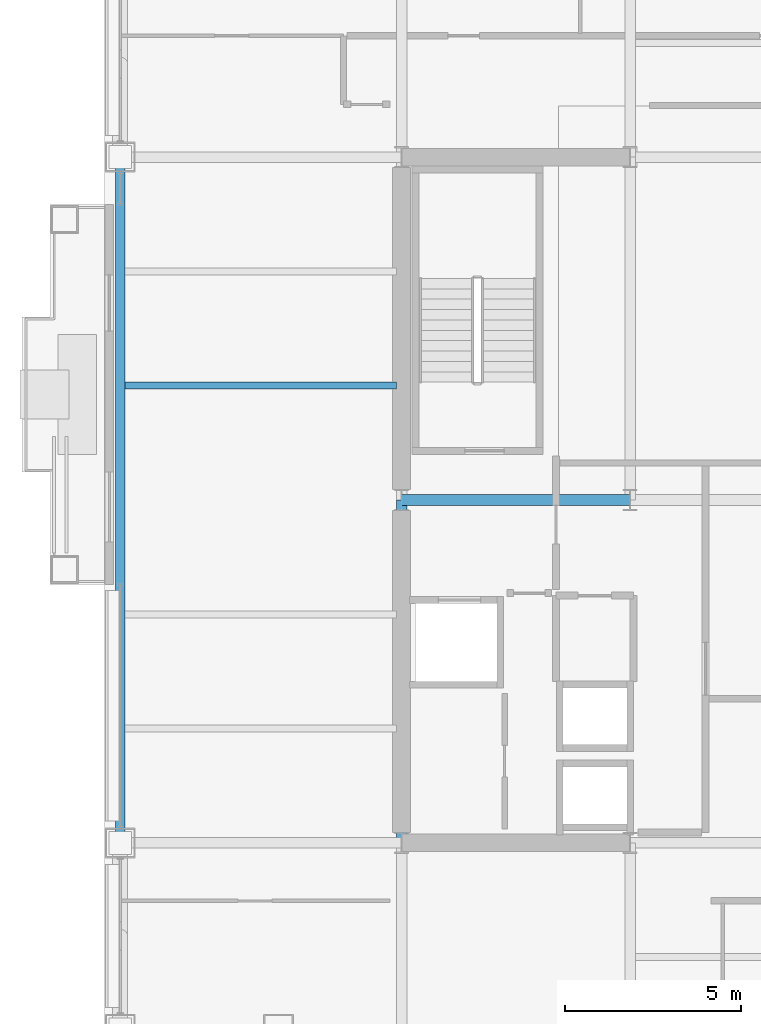
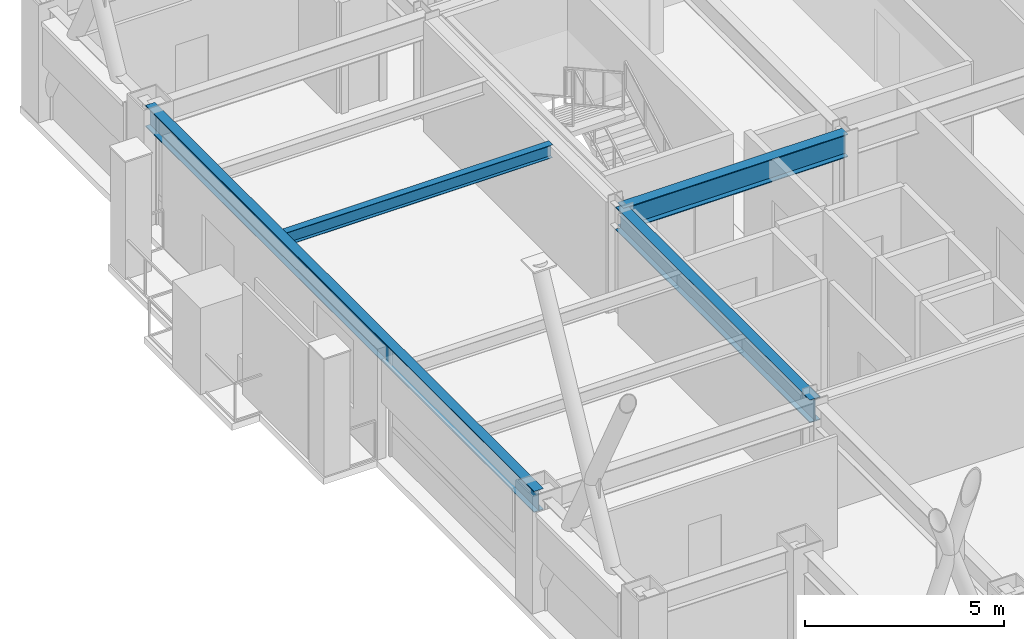
# One storey, part 8 of 32: 4 beams.
"""IFC4 building model written with IfcOpenShell, lengths in metres."""

from ifc_helpers import new_model, si_unit, direction, frame, origin, origin_2d, place, context, subcontext, project, spatial, i_section, extrude, material, material_profile, profile_set, type_object, element, save


model = new_model("IFC4")

# Units and contexts
model_context = context("Model", 3, precision=1e-05, world=origin(), true_north=direction((0.0, 1.0)))
body_context = subcontext(model_context, "Body", "Model", "MODEL_VIEW")
ifc_project = project(units=[si_unit("LENGTHUNIT", "METRE"), si_unit("AREAUNIT", "SQUARE_METRE"), si_unit("VOLUMEUNIT", "CUBIC_METRE"), si_unit("PLANEANGLEUNIT", "RADIAN"), si_unit("MASSUNIT", "GRAM", prefix="KILO")], contexts=[model_context])

# Site, building, storey
site_placement = place(None, origin())
site = spatial("IfcSite", under=ifc_project, at=site_placement, CompositionType="ELEMENT")
building_placement = place(site_placement, origin())
building = spatial("IfcBuilding", under=site, at=building_placement, Name="Brelmoor Portico Tower", CompositionType="ELEMENT")
storey_placement = place(building_placement, frame((0.0, 0.0, 109.800048828125)))
storey = spatial("IfcBuildingStorey", under=building, at=storey_placement, Name="L28", CompositionType="ELEMENT", Elevation=109.800048828125)

# Beams
ifc_material = material(Name="Steel Q355B", Category="steel")
ifc_material_profile_1 = material_profile(ifc_material, i_section(OverallWidth=0.199951171875, OverallDepth=0.39990234375, WebThickness=0.008056640625, FlangeThickness=0.012939453125, at=origin_2d()), Name="HN 400x200x8x13")
ifc_profile_set_1 = profile_set([ifc_material_profile_1], Name="Steel Q355B")
beam_type_1 = type_object("IfcBeamType", Name="BM-JS-400", PredefinedType="JOIST", material=ifc_profile_set_1)
beam_1_placement = place(storey_placement, frame((-22.409912109375, 3.25, 3.199951171875), z_axis=(1.0, 0.0, 0.0), x_axis=(0.0, 1.0, 0.0)))
element("IfcBeam", 1, at=beam_1_placement, inside=storey, type_object=beam_type_1, Name="L28 Secondary Wing Joist JS-W07", PredefinedType="JOIST", context=body_context, shape_type="SweptSolid", body=[
    extrude(i_section(OverallWidth=0.199951171875, OverallDepth=0.39990234375, WebThickness=0.008056640625, FlangeThickness=0.012939453125, at=origin_2d()), origin(), (0.0, 0.0, 1.0), 7.7099609375),
])
ifc_material_profile_2 = material_profile(ifc_material, i_section(OverallWidth=0.300048828125, OverallDepth=0.699951171875, WebThickness=0.012939453125, FlangeThickness=0.02392578125, at=origin_2d()), Name="HN 700x300x13x24")
ifc_profile_set_2 = profile_set([ifc_material_profile_2], Name="Steel Q355B")
beam_type_2 = type_object("IfcBeamType", Name="BM-PG-700", PredefinedType="BEAM", material=ifc_profile_set_2)
beam_2_placement = place(storey_placement, frame((-14.550048828125, -9.75, 3.050048828125), z_axis=(0.0, 1.0, 0.0), x_axis=(-1.0, 0.0, 0.0)))
element("IfcBeam", 2, at=beam_2_placement, inside=storey, type_object=beam_type_2, Name="L28 Primary Floor Girder PG-02", PredefinedType="BEAM", context=body_context, shape_type="SweptSolid", body=[
    extrude(i_section(OverallWidth=0.300048828125, OverallDepth=0.699951171875, WebThickness=0.012939453125, FlangeThickness=0.02392578125, at=origin_2d()), origin(), (0.0, 0.0, 1.0), 9.75),
])
beam_3_placement = place(storey_placement, frame((-14.550048828125, 0.0, 3.050048828125), z_axis=(1.0, 0.0, 0.0), x_axis=(0.0, 1.0, 0.0)))
element("IfcBeam", 3, at=beam_3_placement, inside=storey, type_object=beam_type_2, Name="L28 Primary Floor Girder PG-19", PredefinedType="BEAM", context=body_context, shape_type="SweptSolid", body=[
    extrude(i_section(OverallWidth=0.300048828125, OverallDepth=0.699951171875, WebThickness=0.012939453125, FlangeThickness=0.02392578125, at=origin_2d()), origin(), (0.0, 0.0, 1.0), 6.5),
])
ifc_material_profile_3 = material_profile(ifc_material, i_section(OverallWidth=0.280029296875, OverallDepth=0.64990234375, WebThickness=0.012939453125, FlangeThickness=0.02197265625, at=origin_2d()), Name="HN 650x280x13x22")
ifc_profile_set_3 = profile_set([ifc_material_profile_3], Name="Steel Q355B")
beam_type_3 = type_object("IfcBeamType", Name="BM-SP-650", PredefinedType="SPANDREL", material=ifc_profile_set_3)
beam_4_placement = place(storey_placement, frame((-22.550048828125, -9.75, 3.074951171875), z_axis=(0.0, 1.0, 0.0), x_axis=(-1.0, 0.0, 0.0)))
element("IfcBeam", 4, at=beam_4_placement, inside=storey, type_object=beam_type_3, Name="L28 Perimeter Spandrel Beam SP-16", PredefinedType="SPANDREL", context=body_context, shape_type="SweptSolid", body=[
    extrude(i_section(OverallWidth=0.280029296875, OverallDepth=0.64990234375, WebThickness=0.012939453125, FlangeThickness=0.02197265625, at=origin_2d()), origin(), (0.0, 0.0, 1.0), 19.5),
])

save(model, "model.ifc")
